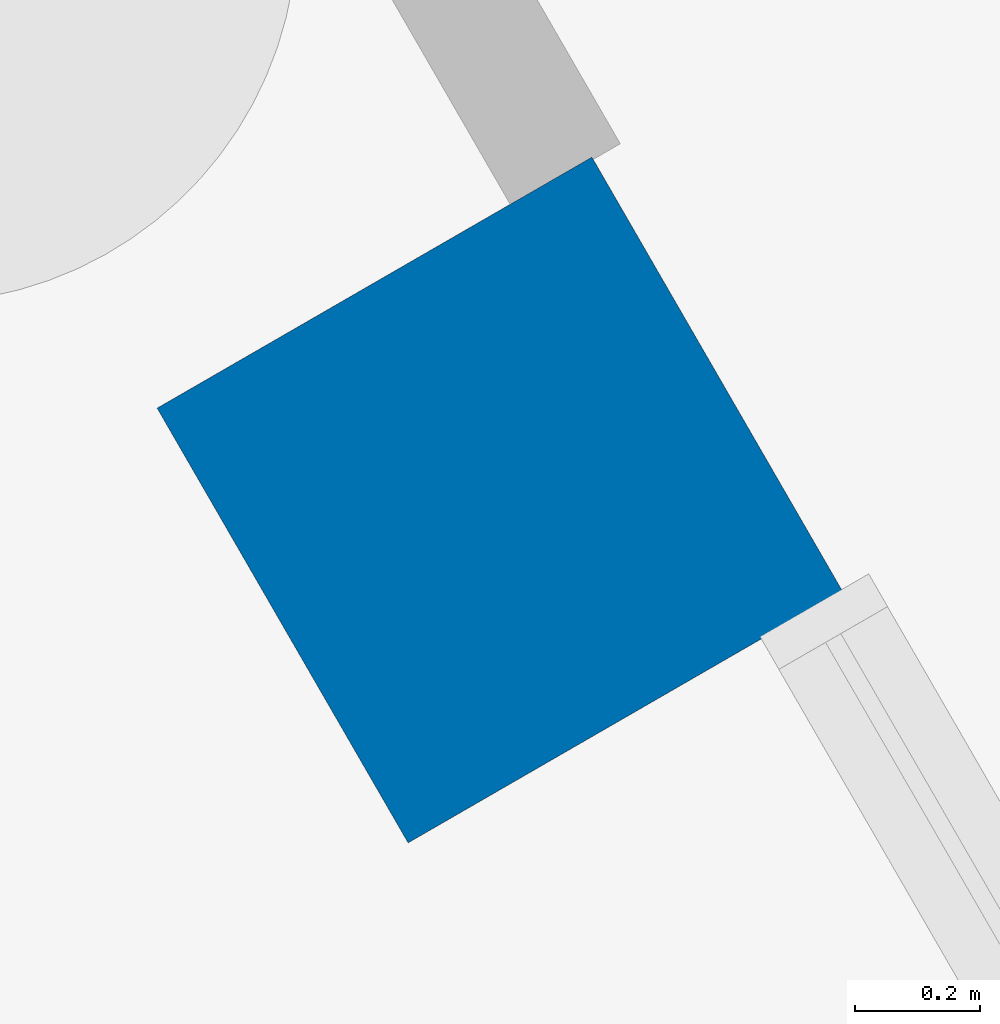
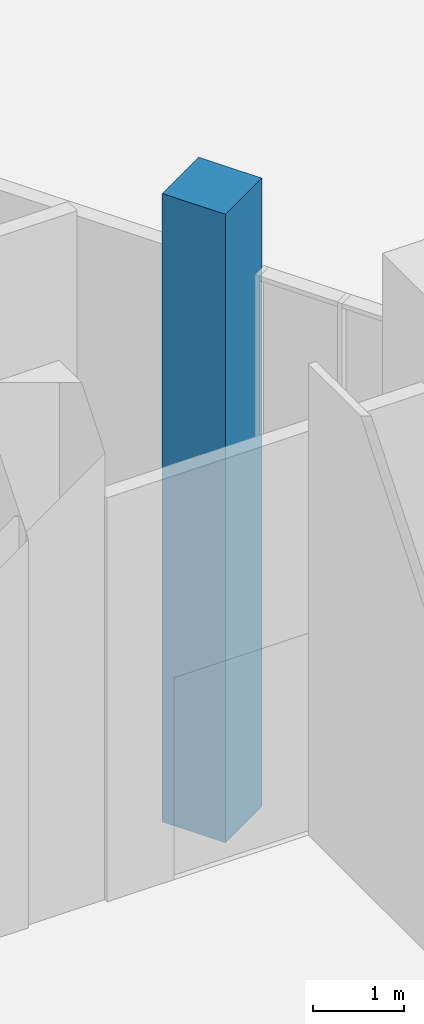
# One storey, part 5 of 44: 1 column.
"""IFC4 building model written with IfcOpenShell, lengths in metres."""

import ifcopenshell
import ifcopenshell.guid

model = None  # the IFC model being written
_history = None  # IfcOwnerHistory: only IFC2X3 demands one
_inside = {}  # id of a spatial element -> (the spatial element, [elements in it])
_under = {}  # id of a project, library or spatial element -> (it, [spatial elements below it])
_declared = {}  # id of a project -> (the project, [libraries it declares])
_typed = {}  # id of a type object -> (the type object, [elements of that type])
_made_of = {}  # id of a material, layer set ... -> (it, [elements and type objects made of it])


def new_model(schema):
    """Start an empty IFC model of exactly this schema.

    Asked for "IFC4X3", IfcOpenShell would pick the latest addendum, in which some entities
    have other attributes; the version numbers below select the first issue.
    IFC2X3 requires an IfcOwnerHistory on every rooted entity: one is made here for all.
    """
    global model, _history
    if schema == "IFC4X3":
        model = ifcopenshell.file(schema_version=(4, 3, 0, 0))
    else:
        model = ifcopenshell.file(schema=schema)
    _inside.clear()
    _under.clear()
    _declared.clear()
    _typed.clear()
    _made_of.clear()
    _history = None
    if model.schema == "IFC2X3":
        org = make("IfcOrganization", Name="unknown")
        user = make(
            "IfcPersonAndOrganization",
            ThePerson=make("IfcPerson", FamilyName="unknown"),
            TheOrganization=org,
        )
        app = make(
            "IfcApplication",
            ApplicationDeveloper=org,
            Version="unknown",
            ApplicationFullName="unknown",
            ApplicationIdentifier="unknown",
        )
        _history = make(
            "IfcOwnerHistory",
            OwningUser=user,
            OwningApplication=app,
            ChangeAction="ADDED",
            CreationDate=0,
        )
    return model


def make(cls, **values):
    """One entity of the class cls with the attributes given. An attribute that is None is left unset."""
    return model.create_entity(
        cls, **{name: value for name, value in values.items() if value is not None}
    )


def rooted(cls, **values):
    """An entity with a GlobalId (a new one), such as an element, a storey or a relation."""
    return make(cls, GlobalId=ifcopenshell.guid.new(), OwnerHistory=_history, **values)


def si_unit(unit_type, name, prefix=None):
    """IfcSIUnit, for example si_unit("LENGTHUNIT", "METRE", prefix="MILLI")."""
    return make("IfcSIUnit", UnitType=unit_type, Prefix=prefix, Name=name)


def assignment(units):
    """IfcUnitAssignment: the units of a project."""
    return None if units is None else make("IfcUnitAssignment", Units=units)


def point(xyz):
    """IfcCartesianPoint."""
    return None if xyz is None else make("IfcCartesianPoint", Coordinates=xyz)


def direction(xyz):
    """IfcDirection."""
    return None if xyz is None else make("IfcDirection", DirectionRatios=xyz)


def frame(location, z_axis=None, x_axis=None):
    """IfcAxis2Placement3D, a coordinate frame: its origin and axes. An axis left out is left unset."""
    return make(
        "IfcAxis2Placement3D",
        Location=point(location),
        Axis=direction(z_axis),
        RefDirection=direction(x_axis),
    )


def frame_2d(location, x_axis=None):
    """IfcAxis2Placement2D, a coordinate frame in the plane: its origin and x axis."""
    return make(
        "IfcAxis2Placement2D", Location=point(location), RefDirection=direction(x_axis)
    )


def origin():
    """The frame at (0, 0, 0) with its axes left unset."""
    return frame((0.0, 0.0, 0.0))


def origin_2d():
    """The frame at (0, 0) in the plane with its x axis left unset."""
    return frame_2d((0.0, 0.0))


def place(relative_to, where):
    """IfcLocalPlacement: puts the frame where relative to a parent placement (None: the world)."""
    return make(
        "IfcLocalPlacement", PlacementRelTo=relative_to, RelativePlacement=where
    )


def context(
    kind, dimensions, precision=None, world=None, true_north=None, identifier=None
):
    """IfcGeometricRepresentationContext, for example the 3D "Model" context."""
    return make(
        "IfcGeometricRepresentationContext",
        ContextIdentifier=identifier,
        ContextType=kind,
        CoordinateSpaceDimension=dimensions,
        Precision=precision,
        WorldCoordinateSystem=world,
        TrueNorth=true_north,
    )


def subcontext(parent, identifier, kind, view, scale=None):
    """IfcGeometricRepresentationSubContext, for example "Body" below "Model"."""
    return make(
        "IfcGeometricRepresentationSubContext",
        ContextIdentifier=identifier,
        ContextType=kind,
        ParentContext=parent,
        TargetScale=scale,
        TargetView=view,
    )


def project(units=None, contexts=None):
    """IfcProject with its units and contexts."""
    return rooted(
        "IfcProject",
        Name="project",
        RepresentationContexts=contexts,
        UnitsInContext=assignment(units),
    )


def spatial(cls, under=None, at=None, **own):
    """A site, building, storey or space (cls), placed at a placement, below another one or the project."""
    s = rooted(cls, ObjectPlacement=at, **own)
    if under is not None:
        _under.setdefault(under.id(), (under, []))[1].append(s)
    return s


def profile(cls, at=None, kind="AREA", **sizes):
    """A parametric profile (cls). Its sizes go by their IFC names, for example OverallWidth=200.0."""
    return make(cls, ProfileType=kind, Position=at, **sizes)


def rectangle(**sizes):
    """IfcRectangleProfileDef."""
    return profile("IfcRectangleProfileDef", **sizes)


def extrude(swept, where, along, depth):
    """IfcExtrudedAreaSolid: the profile swept, set in the frame where, extruded along a direction by depth."""
    return make(
        "IfcExtrudedAreaSolid",
        SweptArea=swept,
        Position=where,
        ExtrudedDirection=direction(along),
        Depth=depth,
    )


def shape(context_of_items, identifier, shape_type, items):
    """IfcShapeRepresentation: the items that make up one representation, for example the "Body"."""
    return make(
        "IfcShapeRepresentation",
        ContextOfItems=context_of_items,
        RepresentationIdentifier=identifier,
        RepresentationType=shape_type,
        Items=items,
    )


def material(Name=None, Category=None):
    """IfcMaterial."""
    return make("IfcMaterial", Name=Name, Category=Category)


def material_profile(
    of_material, cross_section, Name=None, Category=None, Priority=None
):
    """IfcMaterialProfile: a cross section and its material."""
    return make(
        "IfcMaterialProfile",
        Name=Name,
        Material=of_material,
        Profile=cross_section,
        Priority=Priority,
        Category=Category,
    )


def profile_set(profiles, Name=None, composite=None):
    """IfcMaterialProfileSet."""
    return make(
        "IfcMaterialProfileSet",
        Name=Name,
        MaterialProfiles=profiles,
        CompositeProfile=composite,
    )


def made_of(thing, what):
    """Note that an element or type object is made of a material, layer set ...; save() writes the relation."""
    if what is not None:
        _made_of.setdefault(what.id(), (what, []))[1].append(thing)
    return thing


def type_object(cls, material=None, **own):
    """A type object (cls), such as IfcWallType, which elements share."""
    return made_of(rooted(cls, **own), material)


def element(
    cls,
    number,
    at=None,
    inside=None,
    cuts=None,
    type_object=None,
    material=None,
    context=None,
    identifier="Body",
    shape_type=None,
    held_by="IfcProductDefinitionShape",
    body=None,
    shapes=None,
    **own,
):
    """One element of the class cls, such as IfcWall. Its Tag is "e" and its number.

    at: its placement. inside: the storey or other place that contains it. cuts: it is an
    opening in that element (IfcRelVoidsElement). A single representation is given by context,
    identifier, shape_type and body (its items); several are given by shapes. held_by: the class
    of the entity that holds the representations. save() writes the other relations.
    """
    e = rooted(cls, Tag="e%d" % number, ObjectPlacement=at, **own)
    if body is not None:
        shapes = [shape(context, identifier, shape_type, body)]
    if shapes is not None:
        e.Representation = make(held_by, Representations=shapes)
    if inside is not None:
        _inside.setdefault(inside.id(), (inside, []))[1].append(e)
    if cuts is not None:
        rooted(
            "IfcRelVoidsElement", RelatingBuildingElement=cuts, RelatedOpeningElement=e
        )
    if type_object is not None:
        _typed.setdefault(type_object.id(), (type_object, []))[1].append(e)
    return made_of(e, material)


def aggregate(whole, parts):
    """IfcRelAggregates: a whole, such as a stair, and the parts it consists of."""
    return rooted("IfcRelAggregates", RelatingObject=whole, RelatedObjects=parts)


def save(model, path):
    """Write the relations noted so far, then the file.

    IfcRelAggregates (storeys below a building ...), IfcRelContainedInSpatialStructure (elements
    in a storey), IfcRelDefinesByType, IfcRelAssociatesMaterial and IfcRelDeclares: one each for
    every whole, place, type object, material and project.
    """
    for whole, parts in _under.values():
        aggregate(whole, parts)
    for where, things in _inside.values():
        rooted(
            "IfcRelContainedInSpatialStructure",
            RelatedElements=things,
            RelatingStructure=where,
        )
    for kind, things in _typed.values():
        rooted("IfcRelDefinesByType", RelatedObjects=things, RelatingType=kind)
    for what, things in _made_of.values():
        rooted("IfcRelAssociatesMaterial", RelatedObjects=things, RelatingMaterial=what)
    for by, libraries in _declared.values():
        rooted("IfcRelDeclares", RelatingContext=by, RelatedDefinitions=libraries)
    model.write(path)


model = new_model("IFC4")

# Units and contexts
model_context = context("Model", 3, precision=1e-05, world=origin(), true_north=direction((0.0, 1.0)))
body_context = subcontext(model_context, "Body", "Model", "MODEL_VIEW")
ifc_project = project(units=[si_unit("LENGTHUNIT", "METRE"), si_unit("AREAUNIT", "SQUARE_METRE"), si_unit("VOLUMEUNIT", "CUBIC_METRE"), si_unit("PLANEANGLEUNIT", "RADIAN"), si_unit("MASSUNIT", "GRAM", prefix="KILO")], contexts=[model_context])

# Site, building, storey
site_placement = place(None, origin())
site = spatial("IfcSite", under=ifc_project, at=site_placement, CompositionType="ELEMENT")
building_placement = place(site_placement, origin())
building = spatial("IfcBuilding", under=site, at=building_placement, Name="Nakaniwa Court", CompositionType="ELEMENT")
storey_placement = place(building_placement, origin())
storey = spatial("IfcBuildingStorey", under=building, at=storey_placement, Name="L00", CompositionType="ELEMENT", Elevation=0.0)

# Column
ifc_material = material(Name="Concrete C100/115", Category="concrete")
ifc_material_profile = material_profile(ifc_material, rectangle(XDim=0.800048828125, YDim=0.800048828125, at=origin_2d()), Name="Concrete C100/115 RC 800x800 podium skirt column")
ifc_profile_set = profile_set([ifc_material_profile], Name="Concrete C100/115")
column_type = type_object("IfcColumnType", Name="Concrete C100/115 RC 800x800 podium skirt column", PredefinedType="COLUMN", material=ifc_profile_set)
column_placement = place(storey_placement, frame((111.523193359375, 90.50048828125, -1.800048828125), z_axis=(0.0, 0.0, 1.0), x_axis=(-0.5, 0.866025403784, 0.0)))
element("IfcColumn", 1, at=column_placement, inside=storey, type_object=column_type, Name="COLUMN CK-29", PredefinedType="COLUMN", context=body_context, shape_type="SweptSolid", body=[
    extrude(rectangle(XDim=0.800048828125, YDim=0.800048828125, at=origin_2d()), origin(), (0.0, 0.0, 1.0), 8.400146484375),
])

save(model, "model.ifc")
